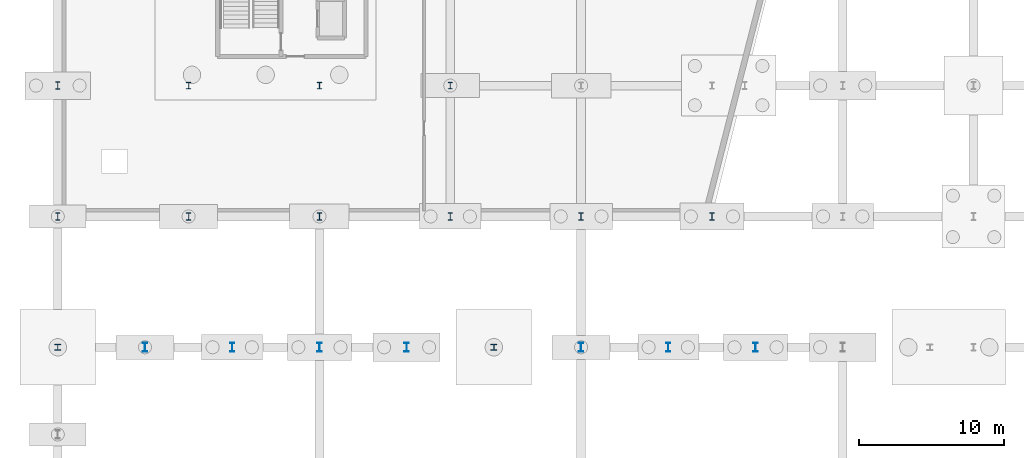
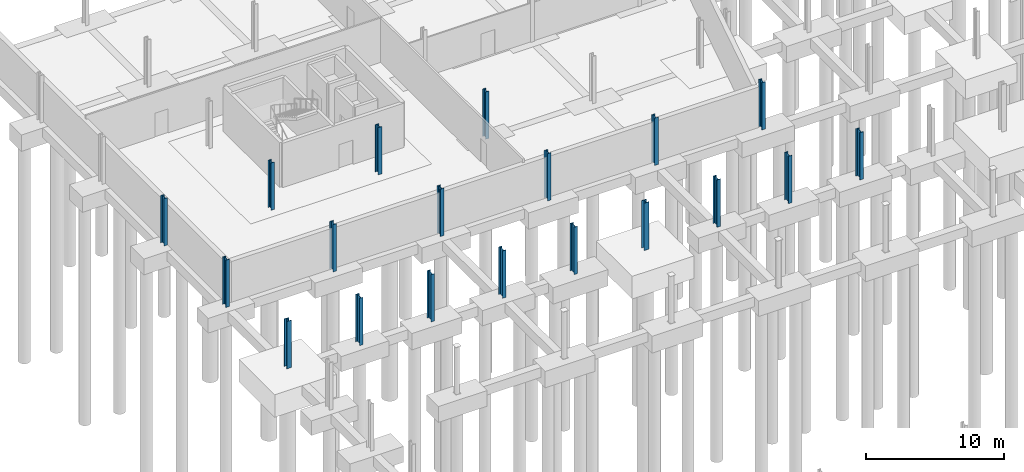
# One storey, part 12 of 42: 19 columns.
"""IFC4 building model written with IfcOpenShell, lengths in metres."""

from ifc_helpers import new_model, si_unit, direction, frame, origin, origin_2d, place, context, subcontext, project, spatial, i_section, extrude, material, material_profile, profile_set, type_object, element, save


model = new_model("IFC4")

# Units and contexts
model_context = context("Model", 3, precision=1e-05, world=origin(), true_north=direction((0.0, 1.0)))
body_context = subcontext(model_context, "Body", "Model", "MODEL_VIEW")
ifc_project = project(units=[si_unit("LENGTHUNIT", "METRE"), si_unit("AREAUNIT", "SQUARE_METRE"), si_unit("VOLUMEUNIT", "CUBIC_METRE"), si_unit("PLANEANGLEUNIT", "RADIAN"), si_unit("MASSUNIT", "GRAM", prefix="KILO")], contexts=[model_context])

# Site, building, storey
site_placement = place(None, origin())
site = spatial("IfcSite", under=ifc_project, at=site_placement, CompositionType="ELEMENT")
building_placement = place(site_placement, origin())
building = spatial("IfcBuilding", under=site, at=building_placement, Name="Deido Ridge Mobility Hub", CompositionType="ELEMENT")
storey_placement = place(building_placement, frame((0.0, 0.0, -4.199951171875)))
storey = spatial("IfcBuildingStorey", under=building, at=storey_placement, Name="B1", CompositionType="ELEMENT", Elevation=-4.199951171875)

# Columns
ifc_material = material(Name="Steel S355J2 EN 10025-2", Category="steel")
ifc_material_profile_1 = material_profile(ifc_material, i_section(OverallWidth=0.406005859375, OverallDepth=0.416015625, WebThickness=0.02392578125, FlangeThickness=0.0390625, FilletRadius=0.014892578125, at=origin_2d()), Name="HD 400x382")
ifc_profile_set_1 = profile_set([ifc_material_profile_1], Name="Steel S355J2 EN 10025-2")
column_type_1 = type_object("IfcColumnType", Name="COL-HD400-382", PredefinedType="COLUMN", material=ifc_profile_set_1)
for number, where, z_axis, x_axis, name in (
    (1, (0.0, 36.0, 0.0), (0.0, 0.0, 1.0), (1.0, 0.0, 0.0), "Structural column MC4"),
    (2, (30.0, 36.0, 0.0), (0.0, 0.0, 1.0), (1.0, 0.0, 0.0), "Structural column MC6"),
):
    element("IfcColumn", number, at=place(storey_placement, frame(where, z_axis=z_axis, x_axis=x_axis)), inside=storey, type_object=column_type_1, Name=name, PredefinedType="COLUMN", context=body_context, shape_type="SweptSolid", body=[
        extrude(i_section(OverallWidth=0.406005859375, OverallDepth=0.416015625, WebThickness=0.02392578125, FlangeThickness=0.0390625, FilletRadius=0.014892578125, at=origin_2d()), origin(), (0.0, 0.0, 1.0), 4.199951171875),
    ])
ifc_material_profile_2 = material_profile(ifc_material, i_section(OverallWidth=0.300048828125, OverallDepth=0.449951171875, WebThickness=0.013916015625, FlangeThickness=0.02587890625, FilletRadius=0.027099609375, at=origin_2d()), Name="HEB 450")
ifc_profile_set_2 = profile_set([ifc_material_profile_2], Name="Steel S355J2 EN 10025-2")
column_type_2 = type_object("IfcColumnType", Name="COL-HEB450", PredefinedType="COLUMN", material=ifc_profile_set_2)
for number, where, z_axis, x_axis, name in (
    (3, (9.0, 54.0, 0.0), (0.0, 0.0, 1.0), (1.0, 0.0, 0.0), "Structural column C6"),
    (4, (18.0, 54.0, 0.0), (0.0, 0.0, 1.0), (1.0, 0.0, 0.0), "Structural column C6"),
    (5, (27.0, 54.0, 0.0), (0.0, 0.0, 1.0), (1.0, 0.0, 0.0), "Structural column C6"),
):
    element("IfcColumn", number, at=place(storey_placement, frame(where, z_axis=z_axis, x_axis=x_axis)), inside=storey, type_object=column_type_2, Name=name, PredefinedType="COLUMN", context=body_context, shape_type="SweptSolid", body=[
        extrude(i_section(OverallWidth=0.300048828125, OverallDepth=0.449951171875, WebThickness=0.013916015625, FlangeThickness=0.02587890625, FilletRadius=0.027099609375, at=origin_2d()), origin(), (0.0, 0.0, 1.0), 4.199951171875),
    ])
ifc_material_profile_3 = material_profile(ifc_material, i_section(OverallWidth=0.300048828125, OverallDepth=0.5, WebThickness=0.014404296875, FlangeThickness=0.028076171875, FilletRadius=0.027099609375, at=origin_2d()), Name="HEB 500")
ifc_profile_set_3 = profile_set([ifc_material_profile_3], Name="Steel S355J2 EN 10025-2")
column_type_3 = type_object("IfcColumnType", Name="COL-HEB500", PredefinedType="COLUMN", material=ifc_profile_set_3)
for number, where, z_axis, x_axis, name in (
    (6, (0.0, 45.0, 0.0), (0.0, 0.0, 1.0), (1.0, 0.0, 0.0), "Structural column C5"),
    (7, (9.0, 45.0, 0.0), (0.0, 0.0, 1.0), (1.0, 0.0, 0.0), "Structural column C5"),
    (8, (18.0, 45.0, 0.0), (0.0, 0.0, 1.0), (1.0, 0.0, 0.0), "Structural column C5"),
    (9, (27.0, 45.0, 0.0), (0.0, 0.0, 1.0), (1.0, 0.0, 0.0), "Structural column C5"),
    (10, (36.0, 45.0, 0.0), (0.0, 0.0, 1.0), (1.0, 0.0, 0.0), "Structural column C5"),
    (11, (45.0, 45.0, 0.0), (0.0, 0.0, 1.0), (1.0, 0.0, 0.0), "Structural column C5"),
    (12, (0.0, 54.0, 0.0), (0.0, 0.0, 1.0), (1.0, 0.0, 0.0), "Structural column C5"),
):
    element("IfcColumn", number, at=place(storey_placement, frame(where, z_axis=z_axis, x_axis=x_axis)), inside=storey, type_object=column_type_3, Name=name, PredefinedType="COLUMN", context=body_context, shape_type="SweptSolid", body=[
        extrude(i_section(OverallWidth=0.300048828125, OverallDepth=0.5, WebThickness=0.014404296875, FlangeThickness=0.028076171875, FilletRadius=0.027099609375, at=origin_2d()), origin(), (0.0, 0.0, 1.0), 4.199951171875),
    ])
ifc_material_profile_4 = material_profile(ifc_material, i_section(OverallWidth=0.300048828125, OverallDepth=0.60009765625, WebThickness=0.015380859375, FlangeThickness=0.030029296875, FilletRadius=0.027099609375, at=origin_2d()), Name="HEB 600")
ifc_profile_set_4 = profile_set([ifc_material_profile_4], Name="Steel S355J2 EN 10025-2")
column_type_4 = type_object("IfcColumnType", Name="COL-HEB600", PredefinedType="COLUMN", material=ifc_profile_set_4)
for number, where, z_axis, x_axis, name in (
    (13, (6.0, 36.0, 0.0), (0.0, 0.0, 1.0), (1.0, 0.0, 0.0), "Structural column C4"),
    (14, (12.0, 36.0, 0.0), (0.0, 0.0, 1.0), (1.0, 0.0, 0.0), "Structural column C4"),
    (15, (18.0, 36.0, 0.0), (0.0, 0.0, 1.0), (1.0, 0.0, 0.0), "Structural column C4"),
    (16, (24.0, 36.0, 0.0), (0.0, 0.0, 1.0), (1.0, 0.0, 0.0), "Structural column C4"),
    (17, (36.0, 36.0, 0.0), (0.0, 0.0, 1.0), (1.0, 0.0, 0.0), "Structural column C4"),
    (18, (42.0, 36.0, 0.0), (0.0, 0.0, 1.0), (1.0, 0.0, 0.0), "Structural column C4"),
    (19, (48.0, 36.0, 0.0), (0.0, 0.0, 1.0), (1.0, 0.0, 0.0), "Structural column C4"),
):
    element("IfcColumn", number, at=place(storey_placement, frame(where, z_axis=z_axis, x_axis=x_axis)), inside=storey, type_object=column_type_4, Name=name, PredefinedType="COLUMN", context=body_context, shape_type="SweptSolid", body=[
        extrude(i_section(OverallWidth=0.300048828125, OverallDepth=0.60009765625, WebThickness=0.015380859375, FlangeThickness=0.030029296875, FilletRadius=0.027099609375, at=origin_2d()), origin(), (0.0, 0.0, 1.0), 4.199951171875),
    ])

save(model, "model.ifc")
